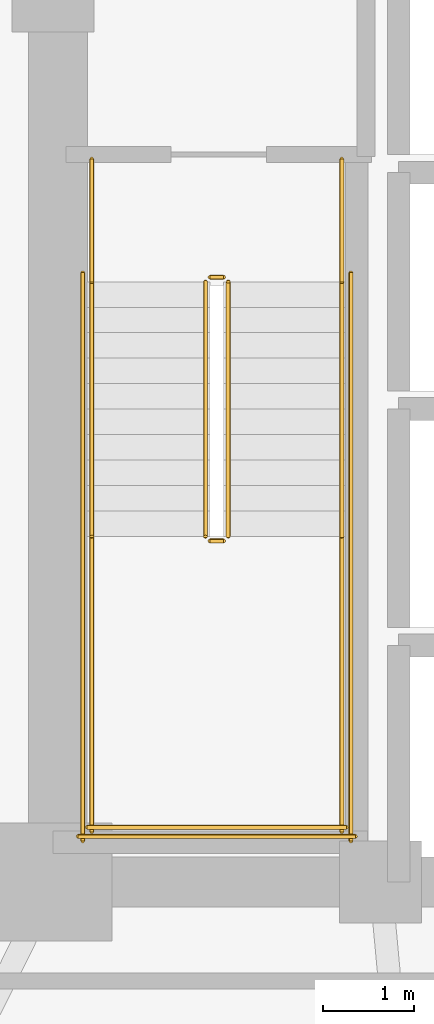
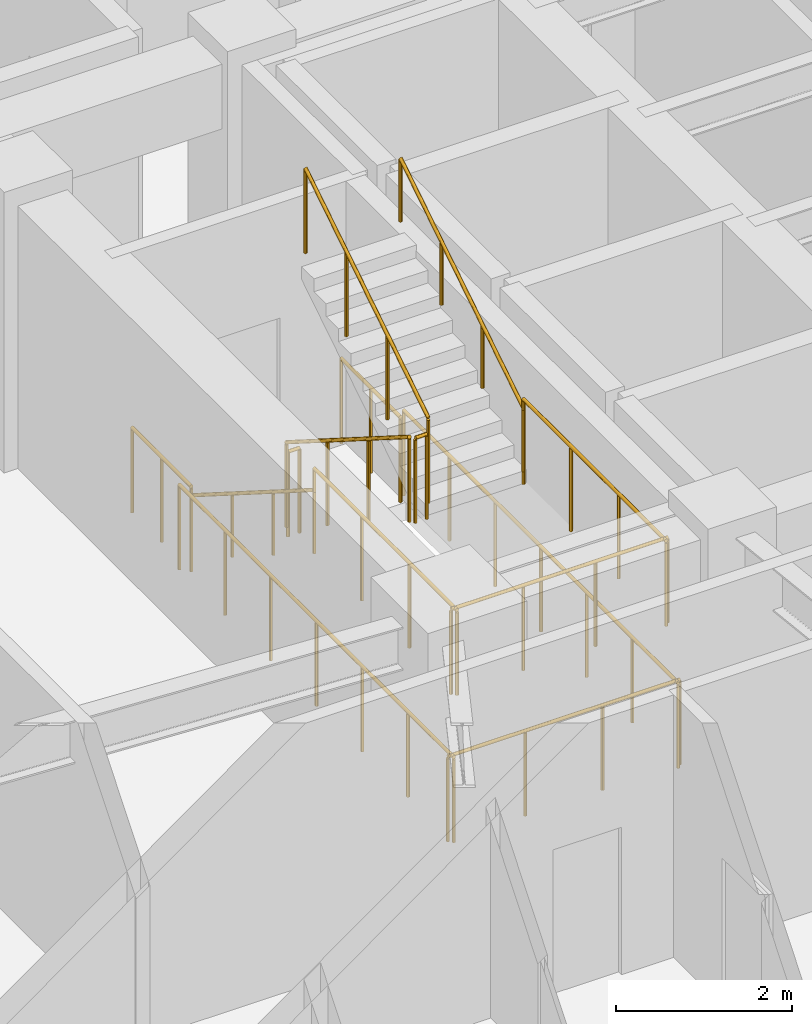
# One storey, part 10 of 11: 14 railings.
"""IFC4 building model written with IfcOpenShell, lengths in metres."""

from ifc_helpers import new_model, si_unit, direction, frame, origin, origin_2d, place, context, subcontext, project, spatial, circle, extrude, material, type_object, element, save


model = new_model("IFC4")

# Units and contexts
model_context = context("Model", 3, precision=1e-05, world=origin(), true_north=direction((0.0, 1.0)))
body_context = subcontext(model_context, "Body", "Model", "MODEL_VIEW")
ifc_project = project(units=[si_unit("LENGTHUNIT", "METRE"), si_unit("AREAUNIT", "SQUARE_METRE"), si_unit("VOLUMEUNIT", "CUBIC_METRE"), si_unit("PLANEANGLEUNIT", "RADIAN"), si_unit("MASSUNIT", "GRAM", prefix="KILO")], contexts=[model_context])

# Site, building, storey
site_placement = place(None, origin())
site = spatial("IfcSite", under=ifc_project, at=site_placement, CompositionType="ELEMENT")
building_placement = place(site_placement, origin())
building = spatial("IfcBuilding", under=site, at=building_placement, Name="Voryun Gate Residences", CompositionType="ELEMENT")
storey_placement = place(building_placement, frame((0.0, 0.0, 105.300048828125)))
storey = spatial("IfcBuildingStorey", under=building, at=storey_placement, Name="L25", CompositionType="ELEMENT", Elevation=105.300048828125)

# Railings
ifc_material_1 = material(Name="Painted steel", Category="steel")
railing_type_1 = type_object("IfcRailingType", Name="RAIL_STAIR_GUARD_1200", PredefinedType="GUARDRAIL", material=ifc_material_1)
railing_1_placement = place(storey_placement, frame((-17.52490234375, -0.800048828125, 0.17724609375)))
element("IfcRailing", 1, at=railing_1_placement, inside=storey, type_object=railing_type_1, Name="L25 ST-W1 stair guard 1", PredefinedType="GUARDRAIL", context=body_context, shape_type="SweptSolid", body=[
    extrude(circle(Radius=0.02392578125, at=origin_2d()), frame((0.0, 0.0, 1.17578125), z_axis=(0.0, -0.844908973607, 0.534910110503), x_axis=(1.0, 0.0, 0.0)), (0.0, 0.0, 1.0), 3.31396484375),
    extrude(circle(Radius=0.02099609375, at=origin_2d()), origin(), (0.0, 0.0, 1.0), 1.15185546875),
    extrude(circle(Radius=0.02099609375, at=origin_2d()), frame((0.0, -0.933349609375, 0.5908203125)), (0.0, 0.0, 1.0), 1.15185546875),
    extrude(circle(Radius=0.02099609375, at=origin_2d()), frame((0.0, -1.86669921875, 1.181884765625)), (0.0, 0.0, 1.0), 1.15185546875),
    extrude(circle(Radius=0.02099609375, at=origin_2d()), frame((0.0, -2.800048828125, 1.772705078125)), (0.0, 0.0, 1.0), 1.15185546875),
])
railing_2_placement = place(storey_placement, frame((-17.47509765625, -3.64990234375, 1.949951171875)))
element("IfcRailing", 2, at=railing_2_placement, inside=storey, type_object=railing_type_1, Name="L25 ST-W1 stair guard 2", PredefinedType="GUARDRAIL", context=body_context, shape_type="SweptSolid", body=[
    extrude(circle(Radius=0.02392578125, at=origin_2d()), frame((0.0, 0.0, 1.17578125), z_axis=(1.0, 0.0, 0.0), x_axis=(0.0, 1.0, 0.0)), (0.0, 0.0, 1.0), 0.150146484375),
    extrude(circle(Radius=0.02099609375, at=origin_2d()), origin(), (0.0, 0.0, 1.0), 1.15185546875),
    extrude(circle(Radius=0.02099609375, at=origin_2d()), frame((0.150146484375, 0.0, 0.0)), (0.0, 0.0, 1.0), 1.15185546875),
])
for number, where, name in (
    (3, (-18.77490234375, -3.60009765625, 1.949951171875), "L25 ST-W1 stair guard 3"),
    (4, (-16.02490234375, -3.60009765625, 1.949951171875), "L25 ST-W1 stair guard 4"),
):
    element("IfcRailing", number, at=place(storey_placement, frame(where)), inside=storey, type_object=railing_type_1, Name=name, PredefinedType="GUARDRAIL", context=body_context, shape_type="SweptSolid", body=[
        extrude(circle(Radius=0.02392578125, at=origin_2d()), frame((0.0, 0.0, 1.17578125), z_axis=(0.0, -1.0, 0.0), x_axis=(1.0, 0.0, 0.0)), (0.0, 0.0, 1.0), 3.25),
        extrude(circle(Radius=0.02099609375, at=origin_2d()), origin(), (0.0, 0.0, 1.0), 1.15185546875),
        extrude(circle(Radius=0.02099609375, at=origin_2d()), frame((0.0, -1.083251953125, 0.0)), (0.0, 0.0, 1.0), 1.15185546875),
        extrude(circle(Radius=0.02099609375, at=origin_2d()), frame((0.0, -2.166748046875, 0.0)), (0.0, 0.0, 1.0), 1.15185546875),
        extrude(circle(Radius=0.02099609375, at=origin_2d()), frame((0.0, -3.25, 0.0)), (0.0, 0.0, 1.0), 1.15185546875),
    ])
railing_3_placement = place(storey_placement, frame((-18.824951171875, -6.800048828125, 1.949951171875)))
element("IfcRailing", 5, at=railing_3_placement, inside=storey, type_object=railing_type_1, Name="L25 ST-W1 stair guard 5", PredefinedType="GUARDRAIL", context=body_context, shape_type="SweptSolid", body=[
    extrude(circle(Radius=0.02392578125, at=origin_2d()), frame((0.0, 0.0, 1.17578125), z_axis=(1.0, 0.0, 0.0), x_axis=(0.0, 1.0, 0.0)), (0.0, 0.0, 1.0), 2.849853515625),
    extrude(circle(Radius=0.02099609375, at=origin_2d()), origin(), (0.0, 0.0, 1.0), 1.15185546875),
    extrude(circle(Radius=0.02099609375, at=origin_2d()), frame((0.949951171875, 0.0, 0.0)), (0.0, 0.0, 1.0), 1.15185546875),
    extrude(circle(Radius=0.02099609375, at=origin_2d()), frame((1.89990234375, 0.0, 0.0)), (0.0, 0.0, 1.0), 1.15185546875),
    extrude(circle(Radius=0.02099609375, at=origin_2d()), frame((2.849853515625, 0.0, 0.0)), (0.0, 0.0, 1.0), 1.15185546875),
])
railing_4_placement = place(storey_placement, frame((-17.27490234375, -3.60009765625, 2.127197265625)))
element("IfcRailing", 6, at=railing_4_placement, inside=storey, type_object=railing_type_1, Name="L25 ST-W1 stair guard 6", PredefinedType="GUARDRAIL", context=body_context, shape_type="SweptSolid", body=[
    extrude(circle(Radius=0.02392578125, at=origin_2d()), frame((0.0, 0.0, 1.17578125), z_axis=(0.0, 0.844908973607, 0.534910110503), x_axis=(-1.0, 0.0, 0.0)), (0.0, 0.0, 1.0), 3.31396484375),
    extrude(circle(Radius=0.02099609375, at=origin_2d()), origin(), (0.0, 0.0, 1.0), 1.15185546875),
    extrude(circle(Radius=0.02099609375, at=origin_2d()), frame((0.0, 0.933349609375, 0.5908203125)), (0.0, 0.0, 1.0), 1.15185546875),
    extrude(circle(Radius=0.02099609375, at=origin_2d()), frame((0.0, 1.86669921875, 1.181884765625)), (0.0, 0.0, 1.0), 1.15185546875),
    extrude(circle(Radius=0.02099609375, at=origin_2d()), frame((0.0, 2.800048828125, 1.772705078125)), (0.0, 0.0, 1.0), 1.15185546875),
])
railing_5_placement = place(storey_placement, frame((-17.47509765625, -0.75, 0.0)))
element("IfcRailing", 7, at=railing_5_placement, inside=storey, type_object=railing_type_1, Name="L25 ST-W1 stair guard 7", PredefinedType="GUARDRAIL", context=body_context, shape_type="SweptSolid", body=[
    extrude(circle(Radius=0.02392578125, at=origin_2d()), frame((0.0, 0.0, 1.17578125), z_axis=(1.0, 0.0, 0.0), x_axis=(0.0, 1.0, 0.0)), (0.0, 0.0, 1.0), 0.150146484375),
    extrude(circle(Radius=0.02099609375, at=origin_2d()), origin(), (0.0, 0.0, 1.0), 1.15185546875),
    extrude(circle(Radius=0.02099609375, at=origin_2d()), frame((0.150146484375, 0.0, 0.0)), (0.0, 0.0, 1.0), 1.15185546875),
])
for number, where, name in (
    (8, (-18.77490234375, 0.550048828125, 0.0), "L25 ST-W1 stair guard 8"),
    (9, (-16.02490234375, 0.550048828125, 0.0), "L25 ST-W1 stair guard 9"),
):
    element("IfcRailing", number, at=place(storey_placement, frame(where)), inside=storey, type_object=railing_type_1, Name=name, PredefinedType="GUARDRAIL", context=body_context, shape_type="SweptSolid", body=[
        extrude(circle(Radius=0.02392578125, at=origin_2d()), frame((0.0, 0.0, 1.17578125), z_axis=(0.0, -1.0, 0.0), x_axis=(1.0, 0.0, 0.0)), (0.0, 0.0, 1.0), 1.35009765625),
        extrude(circle(Radius=0.02099609375, at=origin_2d()), origin(), (0.0, 0.0, 1.0), 1.15185546875),
        extrude(circle(Radius=0.02099609375, at=origin_2d()), frame((0.0, -0.675048828125, 0.0)), (0.0, 0.0, 1.0), 1.15185546875),
        extrude(circle(Radius=0.02099609375, at=origin_2d()), frame((0.0, -1.35009765625, 0.0)), (0.0, 0.0, 1.0), 1.15185546875),
    ])
for number, where, name in (
    (10, (-18.875, -0.699951171875, 0.0), "L25 ST-W1 stair guard 10"),
    (11, (-15.925048828125, -0.699951171875, 0.0), "L25 ST-W1 stair guard 11"),
):
    element("IfcRailing", number, at=place(storey_placement, frame(where)), inside=storey, type_object=railing_type_1, Name=name, PredefinedType="GUARDRAIL", context=body_context, shape_type="SweptSolid", body=[
        extrude(circle(Radius=0.02392578125, at=origin_2d()), frame((0.0, 0.0, 1.17578125), z_axis=(0.0, -1.0, 0.0), x_axis=(1.0, 0.0, 0.0)), (0.0, 0.0, 1.0), 6.25),
        extrude(circle(Radius=0.02099609375, at=origin_2d()), origin(), (0.0, 0.0, 1.0), 1.15185546875),
        extrude(circle(Radius=0.02099609375, at=origin_2d()), frame((0.0, -1.041748046875, 0.0)), (0.0, 0.0, 1.0), 1.15185546875),
        extrude(circle(Radius=0.02099609375, at=origin_2d()), frame((0.0, -2.083251953125, 0.0)), (0.0, 0.0, 1.0), 1.15185546875),
        extrude(circle(Radius=0.02099609375, at=origin_2d()), frame((0.0, -3.125, 0.0)), (0.0, 0.0, 1.0), 1.15185546875),
        extrude(circle(Radius=0.02099609375, at=origin_2d()), frame((0.0, -4.166748046875, 0.0)), (0.0, 0.0, 1.0), 1.15185546875),
        extrude(circle(Radius=0.02099609375, at=origin_2d()), frame((0.0, -5.208251953125, 0.0)), (0.0, 0.0, 1.0), 1.15185546875),
        extrude(circle(Radius=0.02099609375, at=origin_2d()), frame((0.0, -6.25, 0.0)), (0.0, 0.0, 1.0), 1.15185546875),
    ])
railing_6_placement = place(storey_placement, frame((-18.925048828125, -6.89990234375, 0.0)))
element("IfcRailing", 12, at=railing_6_placement, inside=storey, type_object=railing_type_1, Name="L25 ST-W1 stair guard 12", PredefinedType="GUARDRAIL", context=body_context, shape_type="SweptSolid", body=[
    extrude(circle(Radius=0.02392578125, at=origin_2d()), frame((0.0, 0.0, 1.17578125), z_axis=(1.0, 0.0, 0.0), x_axis=(0.0, 1.0, 0.0)), (0.0, 0.0, 1.0), 3.050048828125),
    extrude(circle(Radius=0.02099609375, at=origin_2d()), origin(), (0.0, 0.0, 1.0), 1.15185546875),
    extrude(circle(Radius=0.02099609375, at=origin_2d()), frame((1.0166015625, 0.0, 0.0)), (0.0, 0.0, 1.0), 1.15185546875),
    extrude(circle(Radius=0.02099609375, at=origin_2d()), frame((2.033447265625, 0.0, 0.0)), (0.0, 0.0, 1.0), 1.15185546875),
    extrude(circle(Radius=0.02099609375, at=origin_2d()), frame((3.050048828125, 0.0, 0.0)), (0.0, 0.0, 1.0), 1.15185546875),
])
ifc_material_2 = material(Name="Painted steel", Category="steel")
railing_type_2 = type_object("IfcRailingType", Name="RAIL_STAIR_HANDRAIL_900", PredefinedType="HANDRAIL", material=ifc_material_2)
railing_7_placement = place(storey_placement, frame((-18.77490234375, -0.800048828125, 0.17724609375)))
element("IfcRailing", 13, at=railing_7_placement, inside=storey, type_object=railing_type_2, Name="L25 ST-W1 stair handrail 1", PredefinedType="HANDRAIL", context=body_context, shape_type="SweptSolid", body=[
    extrude(circle(Radius=0.02392578125, at=origin_2d()), frame((0.0, 0.0, 0.8759765625), z_axis=(0.0, -0.844908973607, 0.534910110503), x_axis=(1.0, 0.0, 0.0)), (0.0, 0.0, 1.0), 3.31396484375),
    extrude(circle(Radius=0.02099609375, at=origin_2d()), origin(), (0.0, 0.0, 1.0), 0.851806640625),
    extrude(circle(Radius=0.02099609375, at=origin_2d()), frame((0.0, -0.933349609375, 0.5908203125)), (0.0, 0.0, 1.0), 0.851806640625),
    extrude(circle(Radius=0.02099609375, at=origin_2d()), frame((0.0, -1.86669921875, 1.181884765625)), (0.0, 0.0, 1.0), 0.851806640625),
    extrude(circle(Radius=0.02099609375, at=origin_2d()), frame((0.0, -2.800048828125, 1.772705078125)), (0.0, 0.0, 1.0), 0.851806640625),
])
railing_8_placement = place(storey_placement, frame((-16.02490234375, -3.60009765625, 2.127197265625)))
element("IfcRailing", 14, at=railing_8_placement, inside=storey, type_object=railing_type_2, Name="L25 ST-W1 stair handrail 2", PredefinedType="HANDRAIL", context=body_context, shape_type="SweptSolid", body=[
    extrude(circle(Radius=0.02392578125, at=origin_2d()), frame((0.0, 0.0, 0.8759765625), z_axis=(0.0, 0.844908973607, 0.534910110503), x_axis=(-1.0, 0.0, 0.0)), (0.0, 0.0, 1.0), 3.31396484375),
    extrude(circle(Radius=0.02099609375, at=origin_2d()), origin(), (0.0, 0.0, 1.0), 0.851806640625),
    extrude(circle(Radius=0.02099609375, at=origin_2d()), frame((0.0, 0.933349609375, 0.5908203125)), (0.0, 0.0, 1.0), 0.851806640625),
    extrude(circle(Radius=0.02099609375, at=origin_2d()), frame((0.0, 1.86669921875, 1.181884765625)), (0.0, 0.0, 1.0), 0.851806640625),
    extrude(circle(Radius=0.02099609375, at=origin_2d()), frame((0.0, 2.800048828125, 1.772705078125)), (0.0, 0.0, 1.0), 0.851806640625),
])

save(model, "model.ifc")
